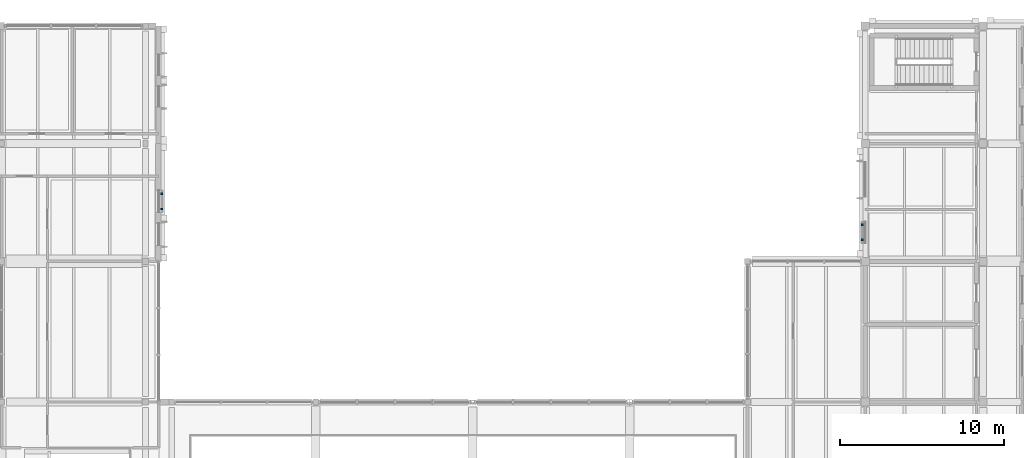
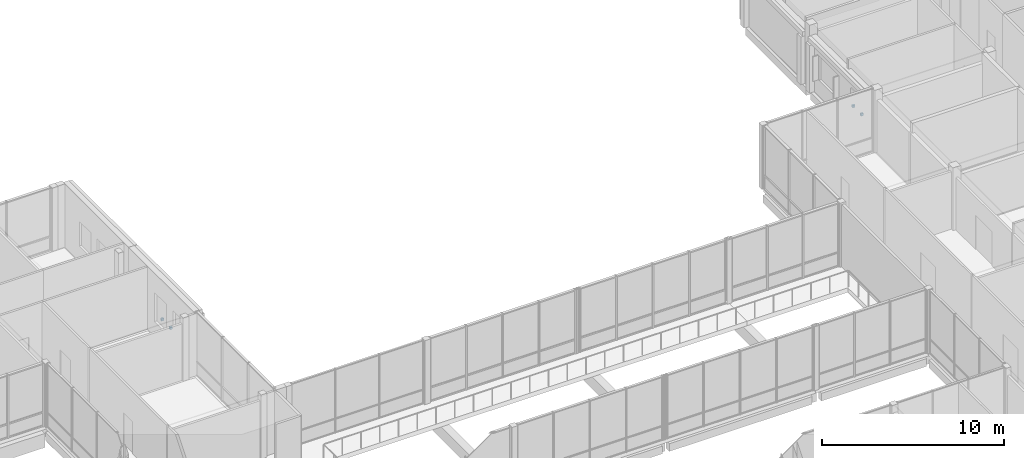
# One storey, part 129 of 146: 4 discrete accessories.
"""IFC4 building model written with IfcOpenShell, lengths in metres."""

from ifc_helpers import new_model, si_unit, direction, frame, origin, origin_2d, place, context, subcontext, project, spatial, rectangle, extrude, material, type_object, element, save


model = new_model("IFC4")

# Units and contexts
model_context = context("Model", 3, precision=1e-05, world=origin(), true_north=direction((0.0, 1.0)))
body_context = subcontext(model_context, "Body", "Model", "MODEL_VIEW")
ifc_project = project(units=[si_unit("LENGTHUNIT", "METRE"), si_unit("AREAUNIT", "SQUARE_METRE"), si_unit("VOLUMEUNIT", "CUBIC_METRE"), si_unit("PLANEANGLEUNIT", "RADIAN"), si_unit("MASSUNIT", "GRAM", prefix="KILO")], contexts=[model_context])

# Site, building, storey
site_placement = place(None, origin())
site = spatial("IfcSite", under=ifc_project, at=site_placement, CompositionType="ELEMENT")
building_placement = place(site_placement, origin())
building = spatial("IfcBuilding", under=site, at=building_placement, Name="Hawrajan Terrace Health Centre", CompositionType="ELEMENT")
storey_placement = place(building_placement, frame((0.0, 0.0, 4.5)))
storey = spatial("IfcBuildingStorey", under=building, at=storey_placement, Name="L01", CompositionType="ELEMENT", Elevation=4.5)

# Discrete accessories
ifc_material = material(Name="Steel S355", Category="steel")
discrete_accessory_type = type_object("IfcDiscreteAccessoryType", Name="FacadeBracket_S355", PredefinedType="BRACKET", material=ifc_material)
for number, where, z_axis, x_axis, name in (
    (1, (71.985107421875, 48.60107421875, 1.06982421875), (0.0, 0.0, 1.0), (0.0, 1.0, 0.0), "Roshan support bracket BRK-L01-091-1"),
    (2, (71.985107421875, 49.5390625, 1.06982421875), (0.0, 0.0, 1.0), (0.0, 1.0, 0.0), "Roshan support bracket BRK-L01-091-2"),
    (3, (114.820068359375, 46.710693359375, 1.56982421875), (0.0, 0.0, 1.0), (0.0, 1.0, 0.0), "Roshan support bracket BRK-L01-101-1"),
    (4, (114.820068359375, 47.634521484375, 1.56982421875), (0.0, 0.0, 1.0), (0.0, 1.0, 0.0), "Roshan support bracket BRK-L01-101-2"),
):
    element("IfcDiscreteAccessory", number, at=place(storey_placement, frame(where, z_axis=z_axis, x_axis=x_axis)), inside=storey, type_object=discrete_accessory_type, Name=name, PredefinedType="BRACKET", context=body_context, shape_type="SweptSolid", body=[
        extrude(rectangle(XDim=0.1201171875, YDim=0.139892578125, at=origin_2d()), origin(), (0.0, 0.0, 1.0), 0.159912109375),
    ])

save(model, "model.ifc")
